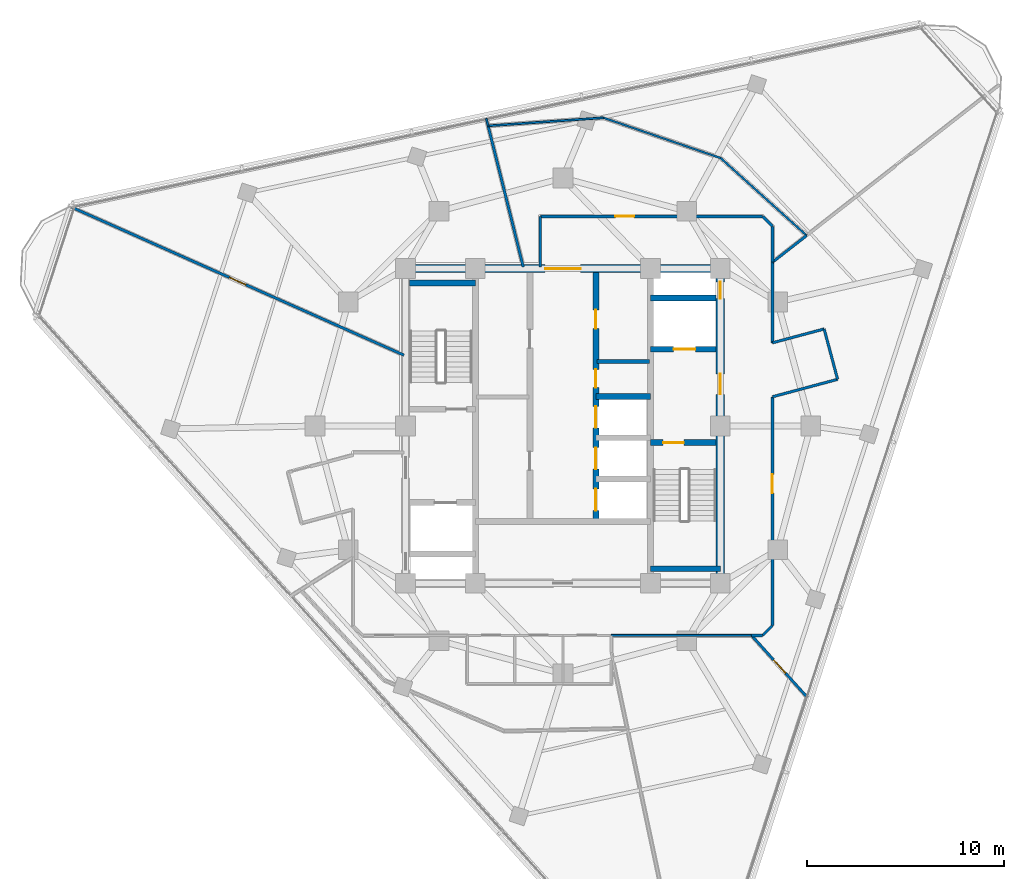
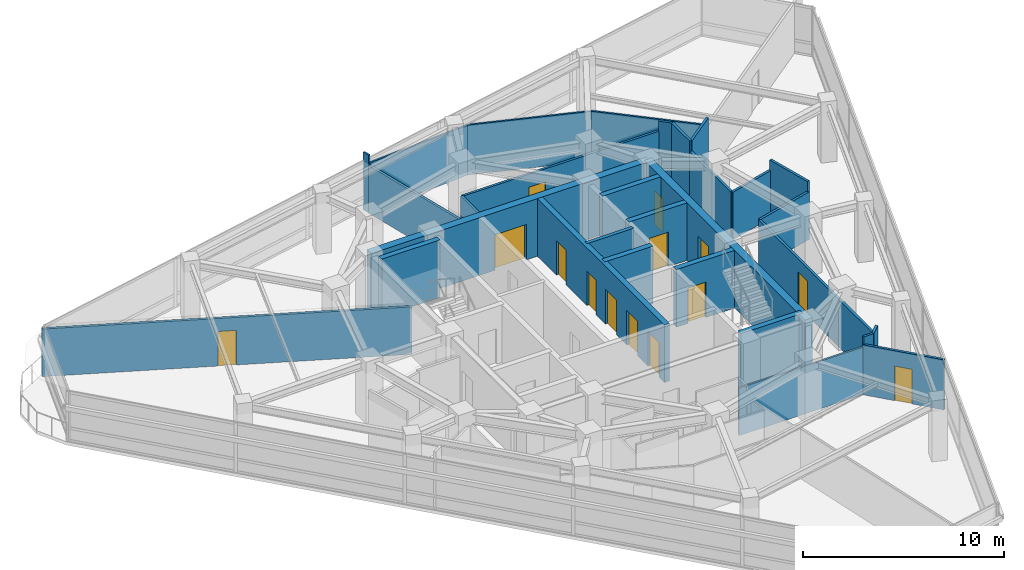
# One storey, part 9 of 15: 30 walls, 14 doors, 14 openings.
"""IFC4 building model written with IfcOpenShell, lengths in metres."""

from ifc_helpers import new_model, si_unit, direction, frame, frame_2d, origin, place, context, subcontext, project, spatial, rectangle, extrude, material, layer, layer_set, type_object, element, fill, save


model = new_model("IFC4")

# Units and contexts
model_context = context("Model", 3, precision=1e-05, world=origin(), true_north=direction((0.0, 1.0)))
body_context = subcontext(model_context, "Body", "Model", "MODEL_VIEW")
ifc_project = project(units=[si_unit("LENGTHUNIT", "METRE"), si_unit("AREAUNIT", "SQUARE_METRE"), si_unit("VOLUMEUNIT", "CUBIC_METRE"), si_unit("PLANEANGLEUNIT", "RADIAN"), si_unit("MASSUNIT", "GRAM", prefix="KILO")], contexts=[model_context])

# Site, building, storey
site_placement = place(None, origin())
site = spatial("IfcSite", under=ifc_project, at=site_placement, CompositionType="ELEMENT")
building_placement = place(site_placement, origin())
building = spatial("IfcBuilding", under=site, at=building_placement, Name="Terralouvre Media Tower", CompositionType="ELEMENT")
storey_placement = place(building_placement, frame((0.0, 0.0, 283.199951171875)))
storey = spatial("IfcBuildingStorey", under=building, at=storey_placement, Name="L73", CompositionType="ELEMENT", Elevation=283.199951171875)

# Wall
ifc_material_1 = material(Name="Concrete C50/60", Category="concrete")
ifc_layer_1 = layer(ifc_material_1, 0.300048828125, Name="Core Internal Shaft Wall CW-300")
ifc_layer_set_1 = layer_set([ifc_layer_1], Name="Concrete C50/60")
wall_type_1 = type_object("IfcWallType", Name="Core Internal Shaft Wall CW-300", PredefinedType="SHEAR", material=ifc_layer_set_1)
wall_1_placement = place(storey_placement, frame((-7.7900390625, 7.260009765625, 0.0), z_axis=(0.0, 0.0, 1.0), x_axis=(1.0, 0.0, 0.0)))
element("IfcWall", 1, at=wall_1_placement, inside=storey, type_object=wall_type_1, Name="L73 Core Shaft Wall ST1F", PredefinedType="SHEAR", context=body_context, shape_type="SweptSolid", body=[
    extrude(rectangle(XDim=3.340087890625, YDim=0.300048828125, at=frame_2d((1.669921875, 0.0))), origin(), (0.0, 0.0, 1.0), 3.5),
])

# Wall, opening, door
wall_2_placement = place(storey_placement, frame((4.449951171875, -0.85009765625, 0.0), z_axis=(0.0, 0.0, 1.0), x_axis=(1.0, 0.0, 0.0)))
wall_2 = element("IfcWall", 2, at=wall_2_placement, inside=storey, type_object=wall_type_1, Name="L73 Core Shaft Wall ST2D", PredefinedType="SHEAR", context=body_context, shape_type="SweptSolid", body=[
    extrude(rectangle(XDim=3.340087890625, YDim=0.300048828125, at=frame_2d((1.669921875, 0.0))), origin(), (0.0, 0.0, 1.0), 3.5),
])
opening_1_placement = place(wall_2_placement, frame((0.64990234375, 0.0, 0.0)))
opening_1 = element("IfcOpeningElement", 3, at=opening_1_placement, cuts=wall_2, Name="Opening FD-01-105X215", PredefinedType="OPENING", context=body_context, shape_type="SweptSolid", body=[
    extrude(rectangle(XDim=1.050048828125, YDim=2.14990234375, at=frame_2d((0.52490234375, 1.074951171875))), frame((0.0, 0.159912109375, 0.0), z_axis=(0.0, -1.0, 0.0), x_axis=(1.0, 0.0, 0.0)), (0.0, 0.0, 1.0), 0.320068359375),
])
ifc_material_2 = material(Name="Galvanised steel fire-resisting leaf", Category="steel")
door_type_1 = type_object("IfcDoorType", Name="Stair and Firefighting Lobby Fire Door FD-01 (1050x2150)", OperationType="NOTDEFINED", PredefinedType="DOOR", material=ifc_material_2)
door_1_placement = place(opening_1_placement, origin())
door_1 = element("IfcDoor", 4, at=door_1_placement, inside=storey, type_object=door_type_1, Name="L73 ST-02 Exit Stair Door", OperationType="SINGLE_SWING_RIGHT", OverallHeight=2.14990234375, OverallWidth=1.050048828125, PredefinedType="DOOR", context=body_context, shape_type="SweptSolid", body=[
    extrude(rectangle(XDim=1.050048828125, YDim=2.14990234375, at=frame_2d((0.52490234375, 1.074951171875))), frame((0.0, 0.02490234375, 0.0), z_axis=(0.0, -1.0, 0.0), x_axis=(1.0, 0.0, 0.0)), (0.0, 0.0, 1.0), 0.050048828125),
])
fill(opening_1, door_1)

# Wall
wall_3_placement = place(storey_placement, frame((4.449951171875, -7.260009765625, 0.0), z_axis=(0.0, 0.0, 1.0), x_axis=(1.0, 0.0, 0.0)))
element("IfcWall", 5, at=wall_3_placement, inside=storey, type_object=wall_type_1, Name="L73 Core Shaft Wall ST2F", PredefinedType="SHEAR", context=body_context, shape_type="SweptSolid", body=[
    extrude(rectangle(XDim=3.550048828125, YDim=0.300048828125, at=frame_2d((1.77490234375, 0.0))), origin(), (0.0, 0.0, 1.0), 3.5),
])

# Wall, opening, door
wall_4_placement = place(storey_placement, frame((4.449951171875, 3.89990234375, 0.0), z_axis=(0.0, 0.0, 1.0), x_axis=(1.0, 0.0, 0.0)))
wall_4 = element("IfcWall", 6, at=wall_4_placement, inside=storey, type_object=wall_type_1, Name="L73 Core Shaft Wall FF2S", PredefinedType="SHEAR", context=body_context, shape_type="SweptSolid", body=[
    extrude(rectangle(XDim=3.340087890625, YDim=0.300048828125, at=frame_2d((1.669921875, 0.0))), origin(), (0.0, 0.0, 1.0), 3.5),
])
opening_2_placement = place(wall_4_placement, frame((1.179931640625, 0.0, 0.0)))
opening_2 = element("IfcOpeningElement", 7, at=opening_2_placement, cuts=wall_4, Name="Opening LD-FF", PredefinedType="OPENING", context=body_context, shape_type="SweptSolid", body=[
    extrude(rectangle(XDim=1.10009765625, YDim=2.10009765625, at=frame_2d((0.550048828125, 1.050048828125))), frame((0.0, 0.159912109375, 0.0), z_axis=(0.0, -1.0, 0.0), x_axis=(1.0, 0.0, 0.0)), (0.0, 0.0, 1.0), 0.320068359375),
])
ifc_material_3 = material(Name="Stainless steel 316 handrail and balustrade", Category="steel")
door_type_2 = type_object("IfcDoorType", Name="Firefighting Lift Sliding Landing Door LD-FF", OperationType="SLIDING_TO_LEFT", PredefinedType="DOOR", material=ifc_material_3)
door_2_placement = place(opening_2_placement, origin())
door_2 = element("IfcDoor", 8, at=door_2_placement, inside=storey, type_object=door_type_2, Name="L73 Firefighting Lift FFL-02 Landing Door", OperationType="SLIDING_TO_LEFT", OverallHeight=2.10009765625, OverallWidth=1.10009765625, PredefinedType="DOOR", context=body_context, shape_type="SweptSolid", body=[
    extrude(rectangle(XDim=1.10009765625, YDim=2.10009765625, at=frame_2d((0.550048828125, 1.050048828125))), frame((0.0, 0.02490234375, 0.0), z_axis=(0.0, -1.0, 0.0), x_axis=(1.0, 0.0, 0.0)), (0.0, 0.0, 1.0), 0.050048828125),
])
fill(opening_2, door_2)

# Wall
wall_5_placement = place(storey_placement, frame((4.449951171875, 6.5, 0.0), z_axis=(0.0, 0.0, 1.0), x_axis=(1.0, 0.0, 0.0)))
element("IfcWall", 9, at=wall_5_placement, inside=storey, type_object=wall_type_1, Name="L73 Core Shaft Wall FF2N", PredefinedType="SHEAR", context=body_context, shape_type="SweptSolid", body=[
    extrude(rectangle(XDim=3.340087890625, YDim=0.300048828125, at=frame_2d((1.669921875, 0.0))), origin(), (0.0, 0.0, 1.0), 3.5),
])

# Wall, openings, doors
wall_6_placement = place(storey_placement, frame((1.679931640625, -4.85009765625, 0.0), z_axis=(0.0, 0.0, 1.0), x_axis=(0.0, 1.0, 0.0)))
wall_6 = element("IfcWall", 10, at=wall_6_placement, inside=storey, type_object=wall_type_1, Name="L73 Core Shaft Wall LBE", PredefinedType="SHEAR", context=body_context, shape_type="SweptSolid", body=[
    extrude(rectangle(XDim=12.64013671875, YDim=0.300048828125, at=frame_2d((6.320068359375, 0.0))), origin(), (0.0, 0.0, 1.0), 3.5),
])
opening_3_placement = place(wall_6_placement, frame((0.550048828125, 0.0, 0.0)))
opening_3 = element("IfcOpeningElement", 11, at=opening_3_placement, cuts=wall_6, Name="Opening LD-PL", PredefinedType="OPENING", context=body_context, shape_type="SweptSolid", body=[
    extrude(rectangle(XDim=1.10009765625, YDim=2.10009765625, at=frame_2d((0.550048828125, 1.050048828125))), frame((0.0, 0.159912109375, 0.0), z_axis=(0.0, -1.0, 0.0), x_axis=(1.0, 0.0, 0.0)), (0.0, 0.0, 1.0), 0.320068359375),
])
opening_4_placement = place(wall_6_placement, frame((2.64990234375, 0.0, 0.0)))
opening_4 = element("IfcOpeningElement", 12, at=opening_4_placement, cuts=wall_6, Name="Opening LD-PL", PredefinedType="OPENING", context=body_context, shape_type="SweptSolid", body=[
    extrude(rectangle(XDim=1.10009765625, YDim=2.10009765625, at=frame_2d((0.550048828125, 1.050048828125))), frame((0.0, 0.159912109375, 0.0), z_axis=(0.0, -1.0, 0.0), x_axis=(1.0, 0.0, 0.0)), (0.0, 0.0, 1.0), 0.320068359375),
])
opening_5_placement = place(wall_6_placement, frame((4.75, 0.0, 0.0)))
opening_5 = element("IfcOpeningElement", 13, at=opening_5_placement, cuts=wall_6, Name="Opening LD-PL", PredefinedType="OPENING", context=body_context, shape_type="SweptSolid", body=[
    extrude(rectangle(XDim=1.10009765625, YDim=2.10009765625, at=frame_2d((0.550048828125, 1.050048828125))), frame((0.0, 0.159912109375, 0.0), z_axis=(0.0, -1.0, 0.0), x_axis=(1.0, 0.0, 0.0)), (0.0, 0.0, 1.0), 0.320068359375),
])
opening_6_placement = place(wall_6_placement, frame((6.800048828125, 0.0, 0.0)))
opening_6 = element("IfcOpeningElement", 14, at=opening_6_placement, cuts=wall_6, Name="Opening FD-05-92X210", PredefinedType="OPENING", context=body_context, shape_type="SweptSolid", body=[
    extrude(rectangle(XDim=0.919921875, YDim=2.10009765625, at=frame_2d((0.4599609375, 1.050048828125))), frame((0.0, 0.159912109375, 0.0), z_axis=(0.0, -1.0, 0.0), x_axis=(1.0, 0.0, 0.0)), (0.0, 0.0, 1.0), 0.320068359375),
])
opening_7_placement = place(wall_6_placement, frame((9.800048828125, 0.0, 0.0)))
opening_7 = element("IfcOpeningElement", 15, at=opening_7_placement, cuts=wall_6, Name="Opening FD-02-95X210", PredefinedType="OPENING", context=body_context, shape_type="SweptSolid", body=[
    extrude(rectangle(XDim=0.949951171875, YDim=2.10009765625, at=frame_2d((0.47509765625, 1.050048828125))), frame((0.0, 0.159912109375, 0.0), z_axis=(0.0, -1.0, 0.0), x_axis=(1.0, 0.0, 0.0)), (0.0, 0.0, 1.0), 0.320068359375),
])
ifc_material_4 = material(Name="Galvanised steel fire-resisting leaf", Category="steel")
door_type_3 = type_object("IfcDoorType", Name="Core Accessible Closet Fire Door FD-05 (920x2100)", OperationType="NOTDEFINED", PredefinedType="DOOR", material=ifc_material_4)
door_3_placement = place(opening_6_placement, origin())
door_3 = element("IfcDoor", 16, at=door_3_placement, inside=storey, type_object=door_type_3, Name="L73 Core Safe Store Door", OperationType="SINGLE_SWING_LEFT", OverallHeight=2.10009765625, OverallWidth=0.919921875, PredefinedType="DOOR", context=body_context, shape_type="SweptSolid", body=[
    extrude(rectangle(XDim=0.919921875, YDim=2.10009765625, at=frame_2d((0.4599609375, 1.050048828125))), frame((0.0, 0.02490234375, 0.0), z_axis=(0.0, -1.0, 0.0), x_axis=(1.0, 0.0, 0.0)), (0.0, 0.0, 1.0), 0.050048828125),
])
fill(opening_6, door_3)
ifc_material_5 = material(Name="Stainless steel 316 handrail and balustrade", Category="steel")
door_type_4 = type_object("IfcDoorType", Name="Passenger Lift Sliding Landing Door LD-PL", OperationType="SLIDING_TO_LEFT", PredefinedType="DOOR", material=ifc_material_5)
door_4_placement = place(opening_3_placement, origin())
door_4 = element("IfcDoor", 17, at=door_4_placement, inside=storey, type_object=door_type_4, Name="L73 High-Rise Lift PL-H1 Landing Door", OperationType="SLIDING_TO_LEFT", OverallHeight=2.10009765625, OverallWidth=1.10009765625, PredefinedType="DOOR", context=body_context, shape_type="SweptSolid", body=[
    extrude(rectangle(XDim=1.10009765625, YDim=2.10009765625, at=frame_2d((0.550048828125, 1.050048828125))), frame((0.0, 0.02490234375, 0.0), z_axis=(0.0, -1.0, 0.0), x_axis=(1.0, 0.0, 0.0)), (0.0, 0.0, 1.0), 0.050048828125),
])
fill(opening_3, door_4)
door_5_placement = place(opening_4_placement, origin())
door_5 = element("IfcDoor", 18, at=door_5_placement, inside=storey, type_object=door_type_4, Name="L73 High-Rise Lift PL-H2 Landing Door", OperationType="SLIDING_TO_LEFT", OverallHeight=2.10009765625, OverallWidth=1.10009765625, PredefinedType="DOOR", context=body_context, shape_type="SweptSolid", body=[
    extrude(rectangle(XDim=1.10009765625, YDim=2.10009765625, at=frame_2d((0.550048828125, 1.050048828125))), frame((0.0, 0.02490234375, 0.0), z_axis=(0.0, -1.0, 0.0), x_axis=(1.0, 0.0, 0.0)), (0.0, 0.0, 1.0), 0.050048828125),
])
fill(opening_4, door_5)
door_6_placement = place(opening_5_placement, origin())
door_6 = element("IfcDoor", 19, at=door_6_placement, inside=storey, type_object=door_type_4, Name="L73 High-Rise Lift PL-H3 Landing Door", OperationType="SLIDING_TO_LEFT", OverallHeight=2.10009765625, OverallWidth=1.10009765625, PredefinedType="DOOR", context=body_context, shape_type="SweptSolid", body=[
    extrude(rectangle(XDim=1.10009765625, YDim=2.10009765625, at=frame_2d((0.550048828125, 1.050048828125))), frame((0.0, 0.02490234375, 0.0), z_axis=(0.0, -1.0, 0.0), x_axis=(1.0, 0.0, 0.0)), (0.0, 0.0, 1.0), 0.050048828125),
])
fill(opening_5, door_6)
ifc_material_6 = material(Name="Galvanised steel fire-resisting leaf", Category="steel")
door_type_5 = type_object("IfcDoorType", Name="Plant and Riser Fire Door FD-02 (950x2100)", OperationType="NOTDEFINED", PredefinedType="DOOR", material=ifc_material_6)
door_7_placement = place(opening_7_placement, origin())
door_7 = element("IfcDoor", 20, at=door_7_placement, inside=storey, type_object=door_type_5, Name="L73 Core IT Patch Plant Door", OperationType="SINGLE_SWING_RIGHT", OverallHeight=2.10009765625, OverallWidth=0.949951171875, PredefinedType="DOOR", context=body_context, shape_type="SweptSolid", body=[
    extrude(rectangle(XDim=0.949951171875, YDim=2.10009765625, at=frame_2d((0.47509765625, 1.050048828125))), frame((0.0, 0.02490234375, 0.0), z_axis=(0.0, -1.0, 0.0), x_axis=(1.0, 0.0, 0.0)), (0.0, 0.0, 1.0), 0.050048828125),
])
fill(opening_7, door_7)

# Wall
wall_7_placement = place(storey_placement, frame((1.679931640625, 1.5, 0.0), z_axis=(0.0, 0.0, 1.0), x_axis=(1.0, 0.0, 0.0)))
element("IfcWall", 21, at=wall_7_placement, inside=storey, type_object=wall_type_1, Name="L73 Core Shaft Wall PLMBOT", PredefinedType="SHEAR", context=body_context, shape_type="SweptSolid", body=[
    extrude(rectangle(XDim=2.77001953125, YDim=0.300048828125, at=frame_2d((1.385009765625, 0.0))), origin(), (0.0, 0.0, 1.0), 3.5),
])

# Wall, openings, doors
ifc_material_7 = material(Name="Concrete C60/75", Category="concrete")
ifc_layer_2 = layer(ifc_material_7, 0.419921875, Name="Core Reinforced Concrete Shear Wall CW-420")
ifc_layer_set_2 = layer_set([ifc_layer_2], Name="Concrete C60/75")
wall_type_2 = type_object("IfcWallType", Name="Core Reinforced Concrete Shear Wall CW-420", PredefinedType="SHEAR", material=ifc_layer_set_2)
wall_8_placement = place(storey_placement, frame((8.0, -8.0, 0.0), z_axis=(0.0, 0.0, 1.0), x_axis=(0.0, 1.0, 0.0)))
wall_8 = element("IfcWall", 22, at=wall_8_placement, inside=storey, type_object=wall_type_2, Name="L73 E Core Shear Wall", PredefinedType="SHEAR", context=body_context, shape_type="SweptSolid", body=[
    extrude(rectangle(XDim=16.0, YDim=0.419921875, at=frame_2d((8.0, 0.0))), origin(), (0.0, 0.0, 1.0), 3.5),
])
opening_8_placement = place(wall_8_placement, frame((9.60009765625, 0.0, 0.0)))
opening_8 = element("IfcOpeningElement", 23, at=opening_8_placement, cuts=wall_8, Name="Opening FD-01-105X215", PredefinedType="OPENING", context=body_context, shape_type="SweptSolid", body=[
    extrude(rectangle(XDim=1.050048828125, YDim=2.14990234375, at=frame_2d((0.52490234375, 1.074951171875))), frame((0.0, 0.219970703125, 0.0), z_axis=(0.0, -1.0, 0.0), x_axis=(1.0, 0.0, 0.0)), (0.0, 0.0, 1.0), 0.43994140625),
])
opening_9_placement = place(wall_8_placement, frame((14.468994140625, 0.0, 0.0)))
opening_9 = element("IfcOpeningElement", 24, at=opening_9_placement, cuts=wall_8, Name="Opening TD-R1", PredefinedType="OPENING", context=body_context, shape_type="SweptSolid", body=[
    extrude(rectangle(XDim=0.85009765625, YDim=2.02001953125, at=frame_2d((0.425048828125, 1.010009765625))), frame((0.0, 0.219970703125, 0.0), z_axis=(0.0, -1.0, 0.0), x_axis=(1.0, 0.0, 0.0)), (0.0, 0.0, 1.0), 0.43994140625),
])
ifc_material_8 = material(Name="Galvanised steel fire-resisting leaf", Category="steel")
door_type_6 = type_object("IfcDoorType", Name="Riser Inspection Access Trapdoor TD-R1", OperationType="NOTDEFINED", PredefinedType="TRAPDOOR", material=ifc_material_8)
door_8_placement = place(opening_9_placement, origin())
door_8 = element("IfcDoor", 25, at=door_8_placement, inside=storey, type_object=door_type_6, Name="L73 East Comms Riser Access Trapdoor", OperationType="SINGLE_SWING_RIGHT", OverallHeight=2.02001953125, OverallWidth=0.85009765625, PredefinedType="TRAPDOOR", context=body_context, shape_type="SweptSolid", body=[
    extrude(rectangle(XDim=0.85009765625, YDim=2.02001953125, at=frame_2d((0.425048828125, 1.010009765625))), frame((0.0, 0.02490234375, 0.0), z_axis=(0.0, -1.0, 0.0), x_axis=(1.0, 0.0, 0.0)), (0.0, 0.0, 1.0), 0.050048828125),
])
fill(opening_9, door_8)
door_9_placement = place(opening_8_placement, origin())
door_9 = element("IfcDoor", 26, at=door_9_placement, inside=storey, type_object=door_type_1, Name="L73 East Firefighting Lobby Entry Door", OperationType="SINGLE_SWING_LEFT", OverallHeight=2.14990234375, OverallWidth=1.050048828125, PredefinedType="DOOR", context=body_context, shape_type="SweptSolid", body=[
    extrude(rectangle(XDim=1.050048828125, YDim=2.14990234375, at=frame_2d((0.52490234375, 1.074951171875))), frame((0.0, 0.02490234375, 0.0), z_axis=(0.0, -1.0, 0.0), x_axis=(1.0, 0.0, 0.0)), (0.0, 0.0, 1.0), 0.050048828125),
])
fill(opening_8, door_9)

# Wall, opening, door
wall_9_placement = place(storey_placement, frame((-8.0, 8.0, 0.0), z_axis=(0.0, 0.0, 1.0), x_axis=(1.0, 0.0, 0.0)))
wall_9 = element("IfcWall", 27, at=wall_9_placement, inside=storey, type_object=wall_type_2, Name="L73 N Core Shear Wall", PredefinedType="SHEAR", context=body_context, shape_type="SweptSolid", body=[
    extrude(rectangle(XDim=16.0, YDim=0.419921875, at=frame_2d((8.0, 0.0))), origin(), (0.0, 0.0, 1.0), 3.5),
])
opening_10_placement = place(wall_9_placement, frame((7.10009765625, 0.0, 0.0)))
opening_10 = element("IfcOpeningElement", 28, at=opening_10_placement, cuts=wall_9, Name="Opening FD-03", PredefinedType="OPENING", context=body_context, shape_type="SweptSolid", body=[
    extrude(rectangle(XDim=1.800048828125, YDim=2.14990234375, at=frame_2d((0.89990234375, 1.074951171875))), frame((0.0, 0.219970703125, 0.0), z_axis=(0.0, -1.0, 0.0), x_axis=(1.0, 0.0, 0.0)), (0.0, 0.0, 1.0), 0.43994140625),
])
ifc_material_9 = material(Name="Galvanised steel fire-resisting leaf", Category="steel")
door_type_7 = type_object("IfcDoorType", Name="Corridor Smoke-Control Double Door FD-03", OperationType="DOUBLE_DOOR_SINGLE_SWING", PredefinedType="DOOR", material=ifc_material_9)
door_10_placement = place(opening_10_placement, origin())
door_10 = element("IfcDoor", 29, at=door_10_placement, inside=storey, type_object=door_type_7, Name="L73 Central Lift Lobby Portal Door", OperationType="DOUBLE_DOOR_SINGLE_SWING", OverallHeight=2.14990234375, OverallWidth=1.800048828125, PredefinedType="DOOR", context=body_context, shape_type="SweptSolid", body=[
    extrude(rectangle(XDim=1.800048828125, YDim=2.14990234375, at=frame_2d((0.89990234375, 1.074951171875))), frame((0.0, 0.02490234375, 0.0), z_axis=(0.0, -1.0, 0.0), x_axis=(1.0, 0.0, 0.0)), (0.0, 0.0, 1.0), 0.050048828125),
])
fill(opening_10, door_10)

# Walls
ifc_material_10 = material(Name="Low-iron laminated double glazing with solar-control coating", Category="glass")
ifc_layer_3 = layer(ifc_material_10, 0.10009765625, Name="Demountable Glazed Office Partition PT-GL100")
ifc_layer_set_3 = layer_set([ifc_layer_3], Name="Low-iron laminated double glazing with solar-control coating")
wall_type_3 = type_object("IfcWallType", Name="Demountable Glazed Office Partition PT-GL100", PredefinedType="MOVABLE", material=ifc_layer_set_3)
wall_10_placement = place(storey_placement, frame((2.449951171875, -10.64990234375, 0.0), z_axis=(0.0, 0.0, 1.0), x_axis=(1.0, 0.0, 0.0)))
element("IfcWall", 30, at=wall_10_placement, inside=storey, type_object=wall_type_3, Name="L73 Interior Partition 019", PredefinedType="MOVABLE", context=body_context, shape_type="SweptSolid", body=[
    extrude(rectangle(XDim=7.13916015625, YDim=0.10009765625, at=frame_2d((3.569580078125, 0.0))), origin(), (0.0, 0.0, 1.0), 2.885009765625),
])
wall_11_placement = place(storey_placement, frame((-3.802978515625, 15.2548828125, 0.0), z_axis=(0.0, 0.0, 1.0), x_axis=(0.997563622011, 0.069762597718, 0.0)))
element("IfcWall", 31, at=wall_11_placement, inside=storey, type_object=wall_type_3, Name="L73 Interior Partition 043", PredefinedType="MOVABLE", context=body_context, shape_type="SweptSolid", body=[
    extrude(rectangle(XDim=5.87939453125, YDim=0.10009765625, at=frame_2d((2.939697265625, 0.0))), origin(), (0.0, 0.0, 1.0), 3.03515625),
])
wall_12_placement = place(storey_placement, frame((2.06201171875, 15.6650390625, 0.0), z_axis=(0.0, 0.0, 1.0), x_axis=(0.94552565825, -0.32554758422, 0.0)))
element("IfcWall", 32, at=wall_12_placement, inside=storey, type_object=wall_type_3, Name="L73 Interior Partition 044", PredefinedType="MOVABLE", context=body_context, shape_type="SweptSolid", body=[
    extrude(rectangle(XDim=6.30029296875, YDim=0.10009765625, at=frame_2d((3.150146484375, 0.0))), origin(), (0.0, 0.0, 1.0), 3.03515625),
])
wall_13_placement = place(storey_placement, frame((8.01904296875, 13.614013671875, 0.0), z_axis=(0.0, 0.0, 1.0), x_axis=(0.743110388877, -0.669168850099, 0.0)))
element("IfcWall", 33, at=wall_13_placement, inside=storey, type_object=wall_type_3, Name="L73 Interior Partition 045", PredefinedType="MOVABLE", context=body_context, shape_type="SweptSolid", body=[
    extrude(rectangle(XDim=5.880615234375, YDim=0.10009765625, at=frame_2d((2.9404296875, 0.0))), origin(), (0.0, 0.0, 1.0), 3.03515625),
])
wall_14_placement = place(storey_placement, frame((-3.896728515625, 15.627685546875, 0.0), z_axis=(0.0, 0.0, 1.0), x_axis=(0.24388032021, -0.969805335835, 0.0)))
element("IfcWall", 34, at=wall_14_placement, inside=storey, type_object=wall_type_3, Name="L73 Interior Partition 046", PredefinedType="MOVABLE", context=body_context, shape_type="SweptSolid", body=[
    extrude(rectangle(XDim=0.384521484375, YDim=0.10009765625, at=frame_2d((0.1923828125, 0.0))), origin(), (0.0, 0.0, 1.0), 3.5),
])
ifc_material_11 = material(Name="Fire-rated gypsum board drywall partition")
ifc_layer_4 = layer(ifc_material_11, 0.199951171875, Name="Fire-Rated Shaft and Lobby Partition FW-200")
ifc_layer_set_4 = layer_set([ifc_layer_4], Name="Fire-rated gypsum board drywall partition")
wall_type_4 = type_object("IfcWallType", Name="Fire-Rated Shaft and Lobby Partition FW-200", PredefinedType="SOLIDWALL", material=ifc_layer_set_4)
wall_15_placement = place(storey_placement, frame((1.719970703125, 3.27001953125, 0.0), z_axis=(0.0, 0.0, 1.0), x_axis=(1.0, 0.0, 0.0)))
element("IfcWall", 35, at=wall_15_placement, inside=storey, type_object=wall_type_4, Name="L73 Core East Sub-Partition 1", PredefinedType="SOLIDWALL", context=body_context, shape_type="SweptSolid", body=[
    extrude(rectangle(XDim=2.679931640625, YDim=0.199951171875, at=frame_2d((1.33984375, 0.0))), origin(), (0.0, 0.0, 1.0), 3.5),
])
ifc_material_12 = material(Name="Fire-rated gypsum board drywall partition")
ifc_layer_5 = layer(ifc_material_12, 0.135009765625, Name="Newsroom Acoustic Partition PT-135")
ifc_layer_set_5 = layer_set([ifc_layer_5], Name="Fire-rated gypsum board drywall partition")
wall_type_5 = type_object("IfcWallType", Name="Newsroom Acoustic Partition PT-135", PredefinedType="PARTITIONING", material=ifc_layer_set_5)
wall_16_placement = place(storey_placement, frame((9.589111328125, -10.64990234375, 0.0), z_axis=(0.0, 0.0, 1.0), x_axis=(1.0, 0.0, 0.0)))
element("IfcWall", 36, at=wall_16_placement, inside=storey, type_object=wall_type_5, Name="L73 Interior Partition 006", PredefinedType="PARTITIONING", context=body_context, shape_type="SweptSolid", body=[
    extrude(rectangle(XDim=0.560791015625, YDim=0.135009765625, at=frame_2d((0.2802734375, 0.0))), origin(), (0.0, 0.0, 1.0), 3.5),
])
wall_17_placement = place(storey_placement, frame((10.14990234375, -10.64990234375, 0.0), z_axis=(0.0, 0.0, 1.0), x_axis=(0.707106781187, 0.707106781187, 0.0)))
element("IfcWall", 37, at=wall_17_placement, inside=storey, type_object=wall_type_5, Name="L73 Interior Partition 007", PredefinedType="PARTITIONING", context=body_context, shape_type="SweptSolid", body=[
    extrude(rectangle(XDim=0.70703125, YDim=0.135009765625, at=frame_2d((0.353515625, 0.0))), origin(), (0.0, 0.0, 1.0), 3.5),
])

# Wall, opening, door
wall_18_placement = place(storey_placement, frame((10.64990234375, -10.14990234375, 0.0), z_axis=(0.0, 0.0, 1.0), x_axis=(0.0, 1.0, 0.0)))
wall_18 = element("IfcWall", 38, at=wall_18_placement, inside=storey, type_object=wall_type_5, Name="L73 Interior Partition 008", PredefinedType="PARTITIONING", context=body_context, shape_type="SweptSolid", body=[
    extrude(rectangle(XDim=11.6318359375, YDim=0.135009765625, at=frame_2d((5.81591796875, 0.0))), origin(), (0.0, 0.0, 1.0), 2.885009765625),
])
opening_11_placement = place(wall_18_placement, frame((6.73681640625, 0.0, 0.0)))
opening_11 = element("IfcOpeningElement", 39, at=opening_11_placement, cuts=wall_18, Name="Opening ID-02-95X210", PredefinedType="OPENING", context=body_context, shape_type="SweptSolid", body=[
    extrude(rectangle(XDim=0.949951171875, YDim=2.10009765625, at=frame_2d((0.47509765625, 1.050048828125))), frame((0.0, 0.077392578125, 0.0), z_axis=(0.0, -1.0, 0.0), x_axis=(1.0, 0.0, 0.0)), (0.0, 0.0, 1.0), 0.155029296875),
])
ifc_material_13 = material(Name="Engineered hardwood acoustic timber leaf", Category="wood")
door_type_8 = type_object("IfcDoorType", Name="Office and Meeting Room Door ID-02 (950x2100)", OperationType="NOTDEFINED", PredefinedType="DOOR", material=ifc_material_13)
door_11_placement = place(opening_11_placement, origin())
door_11 = element("IfcDoor", 40, at=door_11_placement, inside=storey, type_object=door_type_8, Name="L73 Training Equipment Store 2 Door", OperationType="SINGLE_SWING_LEFT", OverallHeight=2.10009765625, OverallWidth=0.949951171875, PredefinedType="DOOR", context=body_context, shape_type="SweptSolid", body=[
    extrude(rectangle(XDim=0.949951171875, YDim=2.10009765625, at=frame_2d((0.47509765625, 1.050048828125))), frame((0.0, 0.02490234375, 0.0), z_axis=(0.0, -1.0, 0.0), x_axis=(1.0, 0.0, 0.0)), (0.0, 0.0, 1.0), 0.050048828125),
])
fill(opening_11, door_11)

# Walls
wall_19_placement = place(storey_placement, frame((10.64990234375, 1.48193359375, 0.0), z_axis=(0.0, 0.0, 1.0), x_axis=(0.965961397105, 0.2586862565, 0.0)))
element("IfcWall", 41, at=wall_19_placement, inside=storey, type_object=wall_type_5, Name="L73 Interior Partition 009", PredefinedType="PARTITIONING", context=body_context, shape_type="SweptSolid", body=[
    extrude(rectangle(XDim=3.4287109375, YDim=0.135009765625, at=frame_2d((1.71435546875, 0.0))), origin(), (0.0, 0.0, 1.0), 2.885009765625),
])
wall_20_placement = place(storey_placement, frame((13.9619140625, 2.368896484375, 0.0), z_axis=(0.0, 0.0, 1.0), x_axis=(-0.258413725385, 0.966034340245, 0.0)))
element("IfcWall", 42, at=wall_20_placement, inside=storey, type_object=wall_type_5, Name="L73 Interior Partition 010", PredefinedType="PARTITIONING", context=body_context, shape_type="SweptSolid", body=[
    extrude(rectangle(XDim=2.650146484375, YDim=0.135009765625, at=frame_2d((1.3251953125, 0.0))), origin(), (0.0, 0.0, 1.0), 3.5),
])
wall_21_placement = place(storey_placement, frame((13.277099609375, 4.928955078125, 0.0), z_axis=(0.0, 0.0, 1.0), x_axis=(-0.965934830229, -0.258785439601, 0.0)))
element("IfcWall", 43, at=wall_21_placement, inside=storey, type_object=wall_type_5, Name="L73 Interior Partition 011", PredefinedType="PARTITIONING", context=body_context, shape_type="SweptSolid", body=[
    extrude(rectangle(XDim=2.719970703125, YDim=0.135009765625, at=frame_2d((1.35986328125, 0.0))), origin(), (0.0, 0.0, 1.0), 2.885009765625),
])
wall_22_placement = place(storey_placement, frame((10.64990234375, 4.22509765625, 0.0), z_axis=(0.0, 0.0, 1.0), x_axis=(0.0, 1.0, 0.0)))
element("IfcWall", 44, at=wall_22_placement, inside=storey, type_object=wall_type_5, Name="L73 Interior Partition 012", PredefinedType="PARTITIONING", context=body_context, shape_type="SweptSolid", body=[
    extrude(rectangle(XDim=4.095947265625, YDim=0.135009765625, at=frame_2d((2.0478515625, 0.0))), origin(), (0.0, 0.0, 1.0), 2.885009765625),
])
wall_23_placement = place(storey_placement, frame((10.64990234375, 8.321044921875, 0.0), z_axis=(0.0, 0.0, 1.0), x_axis=(0.0, 1.0, 0.0)))
element("IfcWall", 45, at=wall_23_placement, inside=storey, type_object=wall_type_5, Name="L73 Interior Partition 020", PredefinedType="PARTITIONING", context=body_context, shape_type="SweptSolid", body=[
    extrude(rectangle(XDim=1.828857421875, YDim=0.135009765625, at=frame_2d((0.91455078125, 0.0))), origin(), (0.0, 0.0, 1.0), 3.5),
])
wall_24_placement = place(storey_placement, frame((10.64990234375, 10.14990234375, 0.0), z_axis=(0.0, 0.0, 1.0), x_axis=(-0.707106781187, 0.707106781187, 0.0)))
element("IfcWall", 46, at=wall_24_placement, inside=storey, type_object=wall_type_5, Name="L73 Interior Partition 021", PredefinedType="PARTITIONING", context=body_context, shape_type="SweptSolid", body=[
    extrude(rectangle(XDim=0.70703125, YDim=0.135009765625, at=frame_2d((0.353515625, 0.0))), origin(), (0.0, 0.0, 1.0), 3.5),
])

# Wall, opening, door
wall_25_placement = place(storey_placement, frame((10.14990234375, 10.64990234375, 0.0), z_axis=(0.0, 0.0, 1.0), x_axis=(-1.0, 0.0, 0.0)))
wall_25 = element("IfcWall", 47, at=wall_25_placement, inside=storey, type_object=wall_type_5, Name="L73 Interior Partition 022", PredefinedType="PARTITIONING", context=body_context, shape_type="SweptSolid", body=[
    extrude(rectangle(XDim=11.2998046875, YDim=0.135009765625, at=frame_2d((5.64990234375, 0.0))), origin(), (0.0, 0.0, 1.0), 2.885009765625),
])
opening_12_placement = place(wall_25_placement, frame((6.531005859375, 0.0, 0.0)))
opening_12 = element("IfcOpeningElement", 48, at=opening_12_placement, cuts=wall_25, Name="Opening ID-02-95X210", PredefinedType="OPENING", context=body_context, shape_type="SweptSolid", body=[
    extrude(rectangle(XDim=0.949951171875, YDim=2.10009765625, at=frame_2d((0.47509765625, 1.050048828125))), frame((0.0, 0.077392578125, 0.0), z_axis=(0.0, -1.0, 0.0), x_axis=(1.0, 0.0, 0.0)), (0.0, 0.0, 1.0), 0.155029296875),
])
door_12_placement = place(opening_12_placement, origin())
door_12 = element("IfcDoor", 49, at=door_12_placement, inside=storey, type_object=door_type_8, Name="L73 Media Reference Library 7 Door", OperationType="SINGLE_SWING_RIGHT", OverallHeight=2.10009765625, OverallWidth=0.949951171875, PredefinedType="DOOR", context=body_context, shape_type="SweptSolid", body=[
    extrude(rectangle(XDim=0.949951171875, YDim=2.10009765625, at=frame_2d((0.47509765625, 1.050048828125))), frame((0.0, 0.02490234375, 0.0), z_axis=(0.0, -1.0, 0.0), x_axis=(1.0, 0.0, 0.0)), (0.0, 0.0, 1.0), 0.050048828125),
])
fill(opening_12, door_12)

# Wall
wall_26_placement = place(storey_placement, frame((-1.14990234375, 10.64990234375, 0.0), z_axis=(0.0, 0.0, 1.0), x_axis=(0.0, -1.0, 0.0)))
element("IfcWall", 50, at=wall_26_placement, inside=storey, type_object=wall_type_5, Name="L73 Interior Partition 023", PredefinedType="PARTITIONING", context=body_context, shape_type="SweptSolid", body=[
    extrude(rectangle(XDim=2.56982421875, YDim=0.135009765625, at=frame_2d((1.284912109375, 0.0))), origin(), (0.0, 0.0, 1.0), 2.885009765625),
])

# Wall, opening, door
wall_27_placement = place(storey_placement, frame((-8.080078125, 3.59716796875, 0.0), z_axis=(0.0, 0.0, 1.0), x_axis=(-0.913542590258, 0.406743083266, 0.0)))
wall_27 = element("IfcWall", 51, at=wall_27_placement, inside=storey, type_object=wall_type_5, Name="L73 Interior Partition 026", PredefinedType="PARTITIONING", context=body_context, shape_type="SweptSolid", body=[
    extrude(rectangle(XDim=18.505126953125, YDim=0.135009765625, at=frame_2d((9.25244140625, 0.0))), origin(), (0.0, 0.0, 1.0), 2.885009765625),
])
opening_13_placement = place(wall_27_placement, frame((8.79248046875, 0.0, 0.0)))
opening_13 = element("IfcOpeningElement", 52, at=opening_13_placement, cuts=wall_27, Name="Opening ID-03-92X210", PredefinedType="OPENING", context=body_context, shape_type="SweptSolid", body=[
    extrude(rectangle(XDim=0.919921875, YDim=2.10009765625, at=frame_2d((0.4599609375, 1.050048828125))), frame((0.0, 0.077392578125, 0.0), z_axis=(0.0, -1.0, 0.0), x_axis=(1.0, 0.0, 0.0)), (0.0, 0.0, 1.0), 0.155029296875),
])
ifc_material_14 = material(Name="Engineered hardwood acoustic timber leaf", Category="wood")
door_type_9 = type_object("IfcDoorType", Name="Accessible Restroom and Suite Door ID-03 (920x2100)", OperationType="NOTDEFINED", PredefinedType="DOOR", material=ifc_material_14)
door_13_placement = place(opening_13_placement, origin())
door_13 = element("IfcDoor", 53, at=door_13_placement, inside=storey, type_object=door_type_9, Name="L73 Periodicals Reading Club 8 Door", OperationType="SINGLE_SWING_RIGHT", OverallHeight=2.10009765625, OverallWidth=0.919921875, PredefinedType="DOOR", context=body_context, shape_type="SweptSolid", body=[
    extrude(rectangle(XDim=0.919921875, YDim=2.10009765625, at=frame_2d((0.4599609375, 1.050048828125))), frame((0.0, 0.02490234375, 0.0), z_axis=(0.0, -1.0, 0.0), x_axis=(1.0, 0.0, 0.0)), (0.0, 0.0, 1.0), 0.050048828125),
])
fill(opening_13, door_13)

wall_28_placement = place(storey_placement, frame((9.589111328125, -10.64990234375, 0.0), z_axis=(0.0, 0.0, 1.0), x_axis=(0.66916439333, -0.743114402161, 0.0)))
wall_28 = element("IfcWall", 54, at=wall_28_placement, inside=storey, type_object=wall_type_5, Name="L73 Interior Partition 027", PredefinedType="PARTITIONING", context=body_context, shape_type="SweptSolid", body=[
    extrude(rectangle(XDim=4.255615234375, YDim=0.135009765625, at=frame_2d((2.1279296875, 0.0))), origin(), (0.0, 0.0, 1.0), 3.03515625),
])
opening_14_placement = place(wall_28_placement, frame((1.667724609375, 0.0, 0.0)))
opening_14 = element("IfcOpeningElement", 55, at=opening_14_placement, cuts=wall_28, Name="Opening ID-03-92X210", PredefinedType="OPENING", context=body_context, shape_type="SweptSolid", body=[
    extrude(rectangle(XDim=0.919921875, YDim=2.10009765625, at=frame_2d((0.4599609375, 1.050048828125))), frame((0.0, 0.077392578125, 0.0), z_axis=(0.0, -1.0, 0.0), x_axis=(1.0, 0.0, 0.0)), (0.0, 0.0, 1.0), 0.155029296875),
])
door_14_placement = place(opening_14_placement, origin())
door_14 = element("IfcDoor", 56, at=door_14_placement, inside=storey, type_object=door_type_9, Name="L73 Voice Coaching Interview Room 5 Door", OperationType="SINGLE_SWING_RIGHT", OverallHeight=2.10009765625, OverallWidth=0.919921875, PredefinedType="DOOR", context=body_context, shape_type="SweptSolid", body=[
    extrude(rectangle(XDim=0.919921875, YDim=2.10009765625, at=frame_2d((0.4599609375, 1.050048828125))), frame((0.0, 0.02490234375, 0.0), z_axis=(0.0, -1.0, 0.0), x_axis=(1.0, 0.0, 0.0)), (0.0, 0.0, 1.0), 0.050048828125),
])
fill(opening_14, door_14)

# Walls
wall_29_placement = place(storey_placement, frame((12.388916015625, 9.678955078125, 0.0), z_axis=(0.0, 0.0, 1.0), x_axis=(-0.788177008199, -0.615448619908, 0.0)))
element("IfcWall", 57, at=wall_29_placement, inside=storey, type_object=wall_type_5, Name="L73 Interior Partition 029", PredefinedType="PARTITIONING", context=body_context, shape_type="SweptSolid", body=[
    extrude(rectangle(XDim=2.206298828125, YDim=0.135009765625, at=frame_2d((1.10302734375, 0.0))), origin(), (0.0, 0.0, 1.0), 3.5),
])
wall_30_placement = place(storey_placement, frame((-3.802978515625, 15.2548828125, 0.0), z_axis=(0.0, 0.0, 1.0), x_axis=(0.241851911951, -0.970313172479, 0.0)))
element("IfcWall", 58, at=wall_30_placement, inside=storey, type_object=wall_type_5, Name="L73 Interior Partition 047", PredefinedType="PARTITIONING", context=body_context, shape_type="SweptSolid", body=[
    extrude(rectangle(XDim=7.394287109375, YDim=0.135009765625, at=frame_2d((3.697265625, 0.0))), origin(), (0.0, 0.0, 1.0), 2.885009765625),
])

save(model, "model.ifc")
